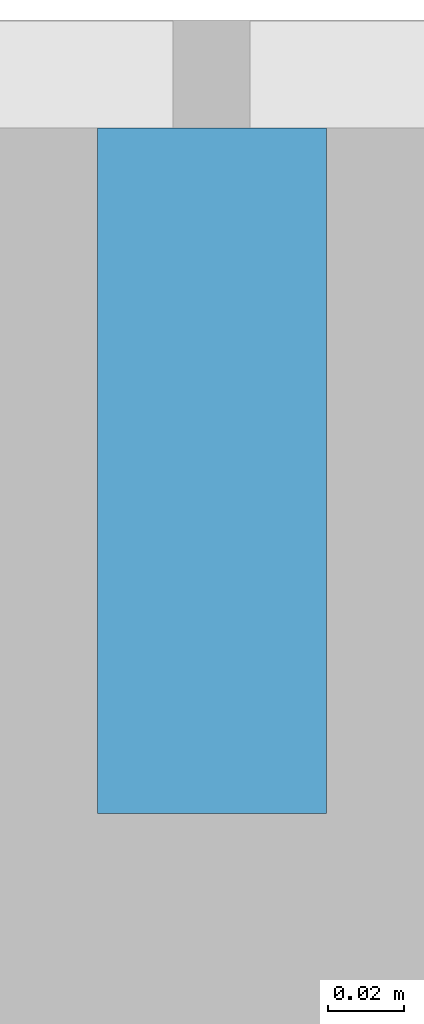
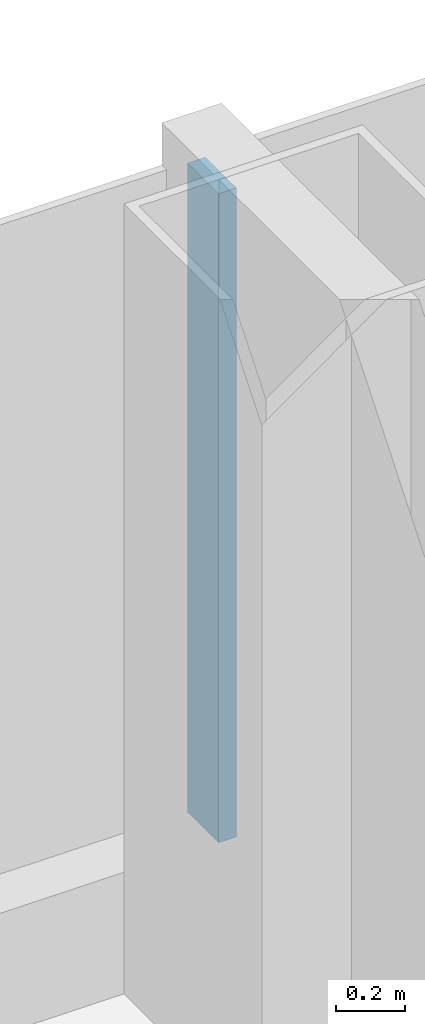
# One storey, part 8 of 29: 1 member, 1 element without a shape of its own.
"""IFC4 building model written with IfcOpenShell, lengths in metres."""

from ifc_helpers import new_model, si_unit, direction, frame, origin, origin_2d, place, context, subcontext, project, spatial, rectangle, extrude, material, layer, layer_set, material_profile, profile_set, type_object, element, aggregate, save


model = new_model("IFC4")

# Units and contexts
model_context = context("Model", 3, precision=1e-05, world=origin(), true_north=direction((0.0, 1.0)))
body_context = subcontext(model_context, "Body", "Model", "MODEL_VIEW")
ifc_project = project(units=[si_unit("LENGTHUNIT", "METRE"), si_unit("AREAUNIT", "SQUARE_METRE"), si_unit("VOLUMEUNIT", "CUBIC_METRE"), si_unit("PLANEANGLEUNIT", "RADIAN"), si_unit("MASSUNIT", "GRAM", prefix="KILO")], contexts=[model_context])

# Site, building, storey
site_placement = place(None, origin())
site = spatial("IfcSite", under=ifc_project, at=site_placement, CompositionType="ELEMENT")
building_placement = place(site_placement, origin())
building = spatial("IfcBuilding", under=site, at=building_placement, Name="Hakoniwa Tower and Hamabe Station Hall", CompositionType="ELEMENT")
storey_placement = place(building_placement, frame((0.0, 0.0, 78.60009765625)))
storey = spatial("IfcBuildingStorey", under=building, at=storey_placement, Name="L21", CompositionType="ELEMENT", Elevation=78.60009765625)

# Curtain wall, member
ifc_material_1 = material(Name="Dark low-e laminated glass", Category="glass")
ifc_layer = layer(ifc_material_1, 0.199951171875)
ifc_layer_set = layer_set([ifc_layer], Name="CW-1 UNITISED GUEST")
curtain_wall_type = type_object("IfcCurtainWallType", Name="CW-1 UNITISED GUEST", PredefinedType="NOTDEFINED", material=ifc_layer_set)
curtain_wall_placement = place(storey_placement, origin())
curtain_wall = element("IfcCurtainWall", 1, at=curtain_wall_placement, inside=storey, type_object=curtain_wall_type, Name="CW-1 curtain wall", PredefinedType="NOTDEFINED")
ifc_material_2 = material(Name="Aluminium 6063-T5 black anodised", Category="aluminium")
ifc_material_profile = material_profile(ifc_material_2, rectangle(XDim=0.06005859375, YDim=0.179931640625, at=origin_2d()), Name="CW-1 MULLION 60X180")
ifc_profile_set = profile_set([ifc_material_profile], Name="Aluminium 6063-T5 black anodised")
member_type = type_object("IfcMemberType", Name="CW-1 MULLION 60X180", PredefinedType="MULLION", material=ifc_profile_set)
member_placement = place(storey_placement, frame((-8.39990234375, 23.431884765625, 0.349853515625), z_axis=(0.0, 0.0, 1.0), x_axis=(-1.0, 0.0, 0.0)))
member = element("IfcMember", 2, at=member_placement, type_object=member_type, Name="CW-1 mullion", PredefinedType="MULLION", context=body_context, shape_type="SweptSolid", body=[
    extrude(rectangle(XDim=0.06005859375, YDim=0.179931640625, at=origin_2d()), origin(), (0.0, 0.0, 1.0), 2.300048828125),
])
aggregate(curtain_wall, [member])

save(model, "model.ifc")
